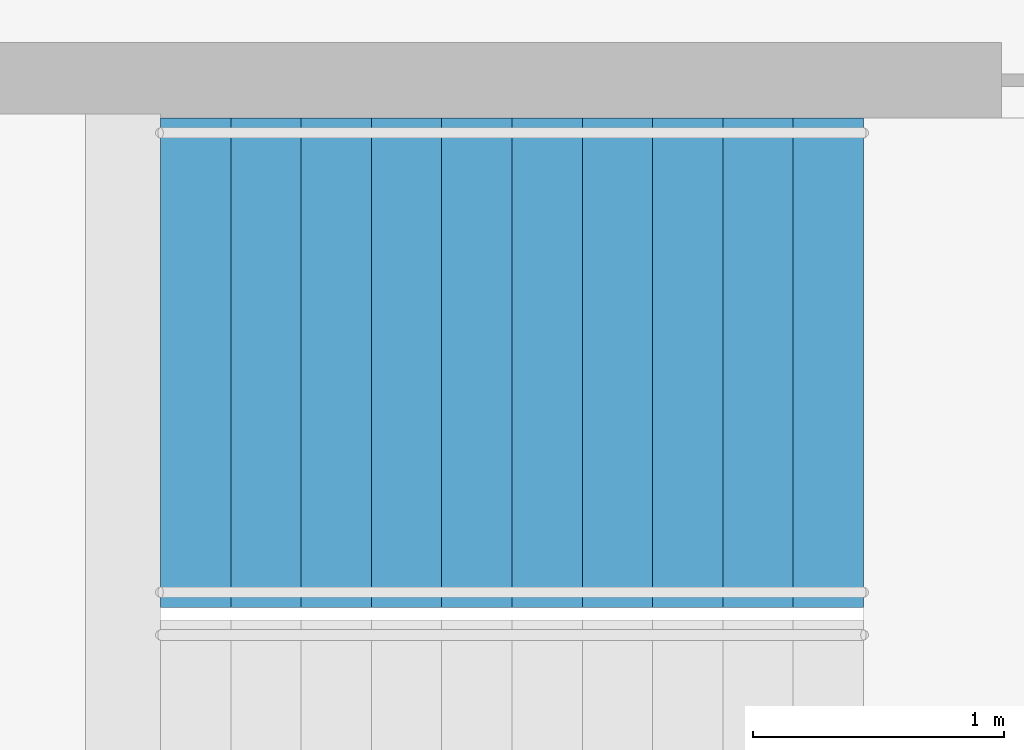
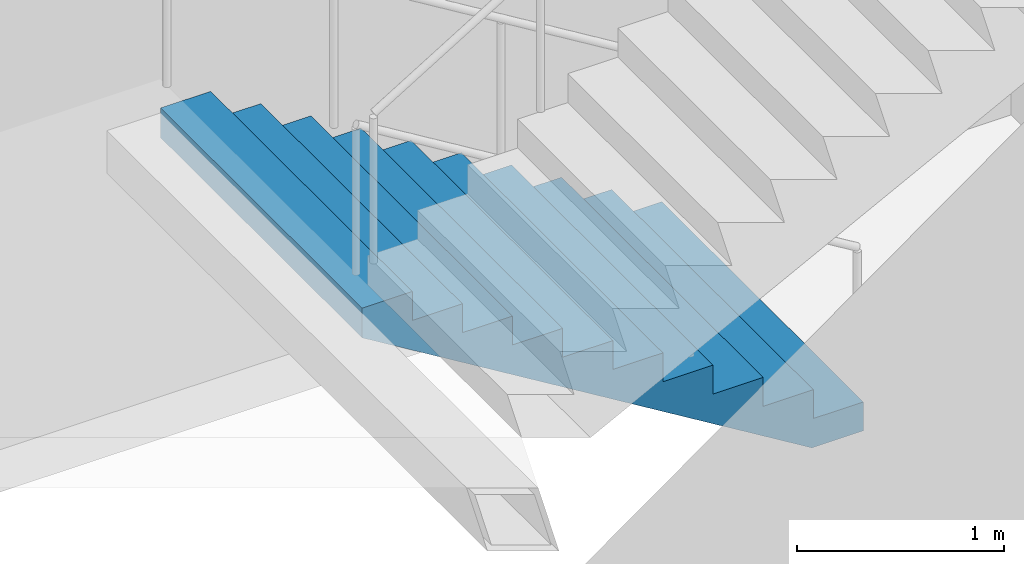
# One storey, part 23 of 24: 1 stair flight, 1 element without a shape of its own.
"""IFC4 building model written with IfcOpenShell, lengths in metres."""

from ifc_helpers import new_model, si_unit, direction, frame, origin, place, context, subcontext, project, spatial, triangles, material, type_object, element, aggregate, save


model = new_model("IFC4")

# Units and contexts
model_context = context("Model", 3, precision=1e-05, world=origin(), true_north=direction((0.0, 1.0)))
body_context = subcontext(model_context, "Body", "Model", "MODEL_VIEW")
ifc_project = project(units=[si_unit("LENGTHUNIT", "METRE"), si_unit("AREAUNIT", "SQUARE_METRE"), si_unit("VOLUMEUNIT", "CUBIC_METRE"), si_unit("PLANEANGLEUNIT", "RADIAN"), si_unit("MASSUNIT", "GRAM", prefix="KILO")], contexts=[model_context])

# Site, building, storey
site_placement = place(None, origin())
site = spatial("IfcSite", under=ifc_project, at=site_placement, CompositionType="ELEMENT")
building_placement = place(site_placement, origin())
building = spatial("IfcBuilding", under=site, at=building_placement, Name="Orbita Commons", CompositionType="ELEMENT")
storey_placement = place(building_placement, frame((0.0, 0.0, 27.699951171875)))
storey = spatial("IfcBuildingStorey", under=building, at=storey_placement, Name="L06", CompositionType="ELEMENT", Elevation=27.699951171875)

# Stair, stair flight
ifc_material_1 = material(Name="Precast concrete C40/50", Category="concrete")
stair_type = type_object("IfcStairType", Name="Exit stair S2 2 flights 11 risers 170", PredefinedType="HALF_TURN_STAIR", material=ifc_material_1)
stair_placement = place(storey_placement, origin())
stair = element("IfcStair", 1, at=stair_placement, inside=storey, type_object=stair_type, Name="Exit stair S2 L06", PredefinedType="HALF_TURN_STAIR")
ifc_material_2 = material(Name="Precast concrete C40/50", Category="concrete")
stair_flight_type = type_object("IfcStairFlightType", Name="Stair flight 11 risers 170 x 280", PredefinedType="STRAIGHT", material=ifc_material_2)
stair_flight_placement = place(storey_placement, frame((63.550048828125, 29.27490234375, 0.0), z_axis=(0.0, 0.0, 1.0), x_axis=(-1.0, 0.0, 0.0)))
stair_flight = element("IfcStairFlight", 2, at=stair_flight_placement, type_object=stair_flight_type, Name="S2 flight 1", NumberOfRisers=11, NumberOfTreads=10, PredefinedType="STRAIGHT", RiserHeight=0.170454545, TreadLength=0.28, context=body_context, shape_type="Tessellation", body=[
    triangles([(0.0, 0.974976, 0.0), (0.0, 0.974976, 0.021307), (0.0, 0.81248, 0.021307), (0.0, 0.81248, 0.0), (0.0, 0.649984, 0.021307), (0.0, 0.649984, 0.0), (0.0, 0.487488, 0.021307), (0.0, 0.487488, 0.0), (0.0, 0.324992, 0.021307), (0.0, 0.324992, 0.0), (0.0, 0.162496, 0.021307), (0.0, 0.162496, 0.0), (0.0, 0.0, 0.021307), (0.0, 0.0, 0.0), (0.0, -0.162496, 0.021307), (0.0, -0.162496, 0.0), (0.0, -0.324992, 0.021307), (0.0, -0.324992, 0.0), (0.0, -0.487488, 0.021307), (0.0, -0.487488, 0.0), (0.0, -0.649984, 0.021307), (0.0, -0.649984, 0.0), (0.0, -0.81248, 0.021307), (0.0, -0.81248, 0.0), (0.0, -0.974976, 0.021307), (0.0, -0.974976, 0.0), (0.0, 0.974976, 0.042614), (0.0, 0.81248, 0.042614), (0.0, 0.649984, 0.042614), (0.0, 0.487488, 0.042614), (0.0, 0.324992, 0.042614), (0.0, 0.162496, 0.042614), (0.0, 0.0, 0.042614), (0.0, -0.162496, 0.042614), (0.0, -0.324992, 0.042614), (0.0, -0.487488, 0.042614), (0.0, -0.649984, 0.042614), (0.0, -0.81248, 0.042614), (0.0, -0.974976, 0.042614), (0.0, 0.974976, 0.06392), (0.0, 0.81248, 0.06392), (0.0, 0.649984, 0.06392), (0.0, 0.487488, 0.06392), (0.0, 0.324992, 0.06392), (0.0, 0.162496, 0.06392), (0.0, 0.0, 0.06392), (0.0, -0.162496, 0.06392), (0.0, -0.324992, 0.06392), (0.0, -0.487488, 0.06392), (0.0, -0.649984, 0.06392), (0.0, -0.81248, 0.06392), (0.0, -0.974976, 0.06392), (0.0, 0.974976, 0.085227), (0.0, 0.81248, 0.085227), (0.0, 0.649984, 0.085227), (0.0, 0.487488, 0.085227), (0.0, 0.324992, 0.085227), (0.0, 0.162496, 0.085227), (0.0, 0.0, 0.085227), (0.0, -0.162496, 0.085227), (0.0, -0.324992, 0.085227), (0.0, -0.487488, 0.085227), (0.0, -0.649984, 0.085227), (0.0, -0.81248, 0.085227), (0.0, -0.974976, 0.085227), (0.0, 0.974976, 0.106534), (0.0, 0.81248, 0.106534), (0.0, 0.649984, 0.106534), (0.0, 0.487488, 0.106534), (0.0, 0.324992, 0.106534), (0.0, 0.162496, 0.106534), (0.0, 0.0, 0.106534), (0.0, -0.162496, 0.106534), (0.0, -0.324992, 0.106534), (0.0, -0.487488, 0.106534), (0.0, -0.649984, 0.106534), (0.0, -0.81248, 0.106534), (0.0, -0.974976, 0.106534), (0.0, 0.974976, 0.127841), (0.0, 0.81248, 0.127841), (0.0, 0.649984, 0.127841), (0.0, 0.487488, 0.127841), (0.0, 0.324992, 0.127841), (0.0, 0.162496, 0.127841), (0.0, 0.0, 0.127841), (0.0, -0.162496, 0.127841), (0.0, -0.324992, 0.127841), (0.0, -0.487488, 0.127841), (0.0, -0.649984, 0.127841), (0.0, -0.81248, 0.127841), (0.0, -0.974976, 0.127841), (0.0, 0.974976, 0.149148), (0.0, 0.81248, 0.149148), (0.0, 0.649984, 0.149148), (0.0, 0.487488, 0.149148), (0.0, 0.324992, 0.149148), (0.0, 0.162496, 0.149148), (0.0, 0.0, 0.149148), (0.0, -0.162496, 0.149148), (0.0, -0.324992, 0.149148), (0.0, -0.487488, 0.149148), (0.0, -0.649984, 0.149148), (0.0, -0.81248, 0.149148), (0.0, -0.974976, 0.149148), (0.0, 0.974976, 0.170455), (0.0, 0.81248, 0.170455), (0.0, 0.649984, 0.170455), (0.0, 0.487488, 0.170455), (0.0, 0.324992, 0.170455), (0.0, 0.162496, 0.170455), (0.0, 0.0, 0.170455), (0.0, -0.162496, 0.170455), (0.0, -0.324992, 0.170455), (0.0, -0.487488, 0.170455), (0.0, -0.649984, 0.170455), (0.0, -0.81248, 0.170455), (0.0, -0.974976, 0.170455), (0.28, 0.974976, 0.170455), (0.28, 0.81248, 0.170455), (0.28, 0.649984, 0.170455), (0.28, 0.487488, 0.170455), (0.28, 0.324992, 0.170455), (0.28, 0.162496, 0.170455), (0.28, 0.0, 0.170455), (0.28, -0.162496, 0.170455), (0.28, -0.324992, 0.170455), (0.28, -0.487488, 0.170455), (0.28, -0.649984, 0.170455), (0.28, -0.81248, 0.170455), (0.28, -0.974976, 0.170455), (0.28, 0.974976, 0.340909), (0.28, 0.81248, 0.340909), (0.28, 0.649984, 0.340909), (0.28, 0.487488, 0.340909), (0.28, 0.324992, 0.340909), (0.28, 0.162496, 0.340909), (0.28, 0.0, 0.340909), (0.28, -0.162496, 0.340909), (0.28, -0.324992, 0.340909), (0.28, -0.487488, 0.340909), (0.28, -0.649984, 0.340909), (0.28, -0.81248, 0.340909), (0.28, -0.974976, 0.340909), (0.56, 0.974976, 0.340909), (0.56, 0.81248, 0.340909), (0.56, 0.649984, 0.340909), (0.56, 0.487488, 0.340909), (0.56, 0.324992, 0.340909), (0.56, 0.162496, 0.340909), (0.56, 0.0, 0.340909), (0.56, -0.162496, 0.340909), (0.56, -0.324992, 0.340909), (0.56, -0.487488, 0.340909), (0.56, -0.649984, 0.340909), (0.56, -0.81248, 0.340909), (0.56, -0.974976, 0.340909), (0.56, 0.974976, 0.511364), (0.56, 0.81248, 0.511364), (0.56, 0.649984, 0.511364), (0.56, 0.487488, 0.511364), (0.56, 0.324992, 0.511364), (0.56, 0.162496, 0.511364), (0.56, 0.0, 0.511364), (0.56, -0.162496, 0.511364), (0.56, -0.324992, 0.511364), (0.56, -0.487488, 0.511364), (0.56, -0.649984, 0.511364), (0.56, -0.81248, 0.511364), (0.56, -0.974976, 0.511364), (0.84, 0.974976, 0.511364), (0.84, 0.81248, 0.511364), (0.84, 0.649984, 0.511364), (0.84, 0.487488, 0.511364), (0.84, 0.324992, 0.511364), (0.84, 0.162496, 0.511364), (0.84, 0.0, 0.511364), (0.84, -0.162496, 0.511364), (0.84, -0.324992, 0.511364), (0.84, -0.487488, 0.511364), (0.84, -0.649984, 0.511364), (0.84, -0.81248, 0.511364), (0.84, -0.974976, 0.511364), (0.84, 0.974976, 0.681818), (0.84, 0.81248, 0.681818), (0.84, 0.649984, 0.681818), (0.84, 0.487488, 0.681818), (0.84, 0.324992, 0.681818), (0.84, 0.162496, 0.681818), (0.84, 0.0, 0.681818), (0.84, -0.162496, 0.681818), (0.84, -0.324992, 0.681818), (0.84, -0.487488, 0.681818), (0.84, -0.649984, 0.681818), (0.84, -0.81248, 0.681818), (0.84, -0.974976, 0.681818), (1.12, 0.974976, 0.681818), (1.12, 0.81248, 0.681818), (1.12, 0.649984, 0.681818), (1.12, 0.487488, 0.681818), (1.12, 0.324992, 0.681818), (1.12, 0.162496, 0.681818), (1.12, 0.0, 0.681818), (1.12, -0.162496, 0.681818), (1.12, -0.324992, 0.681818), (1.12, -0.487488, 0.681818), (1.12, -0.649984, 0.681818), (1.12, -0.81248, 0.681818), (1.12, -0.974976, 0.681818), (1.12, 0.974976, 0.852273), (1.12, 0.81248, 0.852273), (1.12, 0.649984, 0.852273), (1.12, 0.487488, 0.852273), (1.12, 0.324992, 0.852273), (1.12, 0.162496, 0.852273), (1.12, 0.0, 0.852273), (1.12, -0.162496, 0.852273), (1.12, -0.324992, 0.852273), (1.12, -0.487488, 0.852273), (1.12, -0.649984, 0.852273), (1.12, -0.81248, 0.852273), (1.12, -0.974976, 0.852273), (1.4, 0.974976, 0.852273), (1.4, 0.81248, 0.852273), (1.4, 0.649984, 0.852273), (1.4, 0.487488, 0.852273), (1.4, 0.324992, 0.852273), (1.4, 0.162496, 0.852273), (1.4, 0.0, 0.852273), (1.4, -0.162496, 0.852273), (1.4, -0.324992, 0.852273), (1.4, -0.487488, 0.852273), (1.4, -0.649984, 0.852273), (1.4, -0.81248, 0.852273), (1.4, -0.974976, 0.852273), (1.4, 0.974976, 1.022727), (1.4, 0.81248, 1.022727), (1.4, 0.649984, 1.022727), (1.4, 0.487488, 1.022727), (1.4, 0.324992, 1.022727), (1.4, 0.162496, 1.022727), (1.4, 0.0, 1.022727), (1.4, -0.162496, 1.022727), (1.4, -0.324992, 1.022727), (1.4, -0.487488, 1.022727), (1.4, -0.649984, 1.022727), (1.4, -0.81248, 1.022727), (1.4, -0.974976, 1.022727), (1.68, 0.974976, 1.022727), (1.68, 0.81248, 1.022727), (1.68, 0.649984, 1.022727), (1.68, 0.487488, 1.022727), (1.68, 0.324992, 1.022727), (1.68, 0.162496, 1.022727), (1.68, 0.0, 1.022727), (1.68, -0.162496, 1.022727), (1.68, -0.324992, 1.022727), (1.68, -0.487488, 1.022727), (1.68, -0.649984, 1.022727), (1.68, -0.81248, 1.022727), (1.68, -0.974976, 1.022727), (1.68, 0.974976, 1.193182), (1.68, 0.81248, 1.193182), (1.68, 0.649984, 1.193182), (1.68, 0.487488, 1.193182), (1.68, 0.324992, 1.193182), (1.68, 0.162496, 1.193182), (1.68, 0.0, 1.193182), (1.68, -0.162496, 1.193182), (1.68, -0.324992, 1.193182), (1.68, -0.487488, 1.193182), (1.68, -0.649984, 1.193182), (1.68, -0.81248, 1.193182), (1.68, -0.974976, 1.193182), (1.96, 0.974976, 1.193182), (1.96, 0.81248, 1.193182), (1.96, 0.649984, 1.193182), (1.96, 0.487488, 1.193182), (1.96, 0.324992, 1.193182), (1.96, 0.162496, 1.193182), (1.96, 0.0, 1.193182), (1.96, -0.162496, 1.193182), (1.96, -0.324992, 1.193182), (1.96, -0.487488, 1.193182), (1.96, -0.649984, 1.193182), (1.96, -0.81248, 1.193182), (1.96, -0.974976, 1.193182), (1.96, 0.974976, 1.363636), (1.96, 0.81248, 1.363636), (1.96, 0.649984, 1.363636), (1.96, 0.487488, 1.363636), (1.96, 0.324992, 1.363636), (1.96, 0.162496, 1.363636), (1.96, 0.0, 1.363636), (1.96, -0.162496, 1.363636), (1.96, -0.324992, 1.363636), (1.96, -0.487488, 1.363636), (1.96, -0.649984, 1.363636), (1.96, -0.81248, 1.363636), (1.96, -0.974976, 1.363636), (2.24, 0.974976, 1.363636), (2.24, 0.81248, 1.363636), (2.24, 0.649984, 1.363636), (2.24, 0.487488, 1.363636), (2.24, 0.324992, 1.363636), (2.24, 0.162496, 1.363636), (2.24, 0.0, 1.363636), (2.24, -0.162496, 1.363636), (2.24, -0.324992, 1.363636), (2.24, -0.487488, 1.363636), (2.24, -0.649984, 1.363636), (2.24, -0.81248, 1.363636), (2.24, -0.974976, 1.363636), (2.24, 0.974976, 1.534091), (2.24, 0.81248, 1.534091), (2.24, 0.649984, 1.534091), (2.24, 0.487488, 1.534091), (2.24, 0.324992, 1.534091), (2.24, 0.162496, 1.534091), (2.24, 0.0, 1.534091), (2.24, -0.162496, 1.534091), (2.24, -0.324992, 1.534091), (2.24, -0.487488, 1.534091), (2.24, -0.649984, 1.534091), (2.24, -0.81248, 1.534091), (2.24, -0.974976, 1.534091), (2.52, 0.974976, 1.534091), (2.52, 0.81248, 1.534091), (2.52, 0.649984, 1.534091), (2.52, 0.487488, 1.534091), (2.52, 0.324992, 1.534091), (2.52, 0.162496, 1.534091), (2.52, 0.0, 1.534091), (2.52, -0.162496, 1.534091), (2.52, -0.324992, 1.534091), (2.52, -0.487488, 1.534091), (2.52, -0.649984, 1.534091), (2.52, -0.81248, 1.534091), (2.52, -0.974976, 1.534091), (2.52, 0.974976, 1.704545), (2.52, 0.81248, 1.704545), (2.52, 0.649984, 1.704545), (2.52, 0.487488, 1.704545), (2.52, 0.324992, 1.704545), (2.52, 0.162496, 1.704545), (2.52, 0.0, 1.704545), (2.52, -0.162496, 1.704545), (2.52, -0.324992, 1.704545), (2.52, -0.487488, 1.704545), (2.52, -0.649984, 1.704545), (2.52, -0.81248, 1.704545), (2.52, -0.974976, 1.704545), (2.8, 0.974976, 1.704545), (2.8, 0.81248, 1.704545), (2.8, 0.649984, 1.704545), (2.8, 0.487488, 1.704545), (2.8, 0.324992, 1.704545), (2.8, 0.162496, 1.704545), (2.8, 0.0, 1.704545), (2.8, -0.162496, 1.704545), (2.8, -0.324992, 1.704545), (2.8, -0.487488, 1.704545), (2.8, -0.649984, 1.704545), (2.8, -0.81248, 1.704545), (2.8, -0.974976, 1.704545), (2.8, 0.974976, 1.682609), (2.8, 0.81248, 1.682609), (2.8, 0.649984, 1.682609), (2.8, 0.487488, 1.682609), (2.8, 0.324992, 1.682609), (2.8, 0.162496, 1.682609), (2.8, 0.0, 1.682609), (2.8, -0.162496, 1.682609), (2.8, -0.324992, 1.682609), (2.8, -0.487488, 1.682609), (2.8, -0.649984, 1.682609), (2.8, -0.81248, 1.682609), (2.8, -0.974976, 1.682609), (2.8, 0.974976, 1.660672), (2.8, 0.81248, 1.660672), (2.8, 0.649984, 1.660672), (2.8, 0.487488, 1.660672), (2.8, 0.324992, 1.660672), (2.8, 0.162496, 1.660672), (2.8, 0.0, 1.660672), (2.8, -0.162496, 1.660672), (2.8, -0.324992, 1.660672), (2.8, -0.487488, 1.660672), (2.8, -0.649984, 1.660672), (2.8, -0.81248, 1.660672), (2.8, -0.974976, 1.660672), (2.8, 0.974976, 1.638735), (2.8, 0.81248, 1.638735), (2.8, 0.649984, 1.638735), (2.8, 0.487488, 1.638735), (2.8, 0.324992, 1.638735), (2.8, 0.162496, 1.638735), (2.8, 0.0, 1.638735), (2.8, -0.162496, 1.638735), (2.8, -0.324992, 1.638735), (2.8, -0.487488, 1.638735), (2.8, -0.649984, 1.638735), (2.8, -0.81248, 1.638735), (2.8, -0.974976, 1.638735), (2.8, 0.974976, 1.616798), (2.8, 0.81248, 1.616798), (2.8, 0.649984, 1.616798), (2.8, 0.487488, 1.616798), (2.8, 0.324992, 1.616798), (2.8, 0.162496, 1.616798), (2.8, 0.0, 1.616798), (2.8, -0.162496, 1.616798), (2.8, -0.324992, 1.616798), (2.8, -0.487488, 1.616798), (2.8, -0.649984, 1.616798), (2.8, -0.81248, 1.616798), (2.8, -0.974976, 1.616798), (2.8, 0.974976, 1.594861), (2.8, 0.81248, 1.594861), (2.8, 0.649984, 1.594861), (2.8, 0.487488, 1.594861), (2.8, 0.324992, 1.594861), (2.8, 0.162496, 1.594861), (2.8, 0.0, 1.594861), (2.8, -0.162496, 1.594861), (2.8, -0.324992, 1.594861), (2.8, -0.487488, 1.594861), (2.8, -0.649984, 1.594861), (2.8, -0.81248, 1.594861), (2.8, -0.974976, 1.594861), (2.8, 0.974976, 1.572925), (2.8, 0.81248, 1.572925), (2.8, 0.649984, 1.572925), (2.8, 0.487488, 1.572925), (2.8, 0.324992, 1.572925), (2.8, 0.162496, 1.572925), (2.8, 0.0, 1.572925), (2.8, -0.162496, 1.572925), (2.8, -0.324992, 1.572925), (2.8, -0.487488, 1.572925), (2.8, -0.649984, 1.572925), (2.8, -0.81248, 1.572925), (2.8, -0.974976, 1.572925), (2.8, 0.974976, 1.550988), (2.8, 0.81248, 1.550988), (2.8, 0.649984, 1.550988), (2.8, 0.487488, 1.550988), (2.8, 0.324992, 1.550988), (2.8, 0.162496, 1.550988), (2.8, 0.0, 1.550988), (2.8, -0.162496, 1.550988), (2.8, -0.324992, 1.550988), (2.8, -0.487488, 1.550988), (2.8, -0.649984, 1.550988), (2.8, -0.81248, 1.550988), (2.8, -0.974976, 1.550988), (2.8, 0.974976, 1.529051), (2.8, 0.81248, 1.529051), (2.8, 0.649984, 1.529051), (2.8, 0.487488, 1.529051), (2.8, 0.324992, 1.529051), (2.8, 0.162496, 1.529051), (2.8, 0.0, 1.529051), (2.8, -0.162496, 1.529051), (2.8, -0.324992, 1.529051), (2.8, -0.487488, 1.529051), (2.8, -0.649984, 1.529051), (2.8, -0.81248, 1.529051), (2.8, -0.974976, 1.529051), (0.288279, 0.974976, 0.0), (0.288279, 0.81248, 0.0), (0.288279, 0.649984, 0.0), (0.288279, 0.487488, 0.0), (0.288279, 0.324992, 0.0), (0.288279, 0.162496, 0.0), (0.288279, 0.0, 0.0), (0.288279, -0.162496, 0.0), (0.288279, -0.324992, 0.0), (0.288279, -0.487488, 0.0), (0.288279, -0.649984, 0.0), (0.288279, -0.81248, 0.0), (0.288279, -0.974976, 0.0)], [[3, 2, 1], [4, 3, 1], [5, 3, 4], [6, 5, 4], [7, 5, 6], [8, 7, 6], [9, 7, 8], [10, 9, 8], [11, 9, 10], [12, 11, 10], [13, 11, 12], [14, 13, 12], [15, 13, 14], [16, 15, 14], [17, 15, 16], [18, 17, 16], [19, 17, 18], [20, 19, 18], [21, 19, 20], [22, 21, 20], [23, 21, 22], [24, 23, 22], [25, 23, 24], [26, 25, 24], [28, 27, 2], [3, 28, 2], [29, 28, 3], [5, 29, 3], [30, 29, 5], [7, 30, 5], [31, 30, 7], [9, 31, 7], [32, 31, 9], [11, 32, 9], [33, 32, 11], [13, 33, 11], [34, 33, 13], [15, 34, 13], [35, 34, 15], [17, 35, 15], [36, 35, 17], [19, 36, 17], [37, 36, 19], [21, 37, 19], [38, 37, 21], [23, 38, 21], [39, 38, 23], [25, 39, 23], [41, 40, 27], [28, 41, 27], [42, 41, 28], [29, 42, 28], [43, 42, 29], [30, 43, 29], [44, 43, 30], [31, 44, 30], [45, 44, 31], [32, 45, 31], [46, 45, 32], [33, 46, 32], [47, 46, 33], [34, 47, 33], [48, 47, 34], [35, 48, 34], [49, 48, 35], [36, 49, 35], [50, 49, 36], [37, 50, 36], [51, 50, 37], [38, 51, 37], [52, 51, 38], [39, 52, 38], [54, 53, 40], [41, 54, 40], [55, 54, 41], [42, 55, 41], [56, 55, 42], [43, 56, 42], [57, 56, 43], [44, 57, 43], [58, 57, 44], [45, 58, 44], [59, 58, 45], [46, 59, 45], [60, 59, 46], [47, 60, 46], [61, 60, 47], [48, 61, 47], [62, 61, 48], [49, 62, 48], [63, 62, 49], [50, 63, 49], [64, 63, 50], [51, 64, 50], [65, 64, 51], [52, 65, 51], [67, 66, 53], [54, 67, 53], [68, 67, 54], [55, 68, 54], [69, 68, 55], [56, 69, 55], [70, 69, 56], [57, 70, 56], [71, 70, 57], [58, 71, 57], [72, 71, 58], [59, 72, 58], [73, 72, 59], [60, 73, 59], [74, 73, 60], [61, 74, 60], [75, 74, 61], [62, 75, 61], [76, 75, 62], [63, 76, 62], [77, 76, 63], [64, 77, 63], [78, 77, 64], [65, 78, 64], [80, 79, 66], [67, 80, 66], [81, 80, 67], [68, 81, 67], [82, 81, 68], [69, 82, 68], [83, 82, 69], [70, 83, 69], [84, 83, 70], [71, 84, 70], [85, 84, 71], [72, 85, 71], [86, 85, 72], [73, 86, 72], [87, 86, 73], [74, 87, 73], [88, 87, 74], [75, 88, 74], [89, 88, 75], [76, 89, 75], [90, 89, 76], [77, 90, 76], [91, 90, 77], [78, 91, 77], [93, 92, 79], [80, 93, 79], [94, 93, 80], [81, 94, 80], [95, 94, 81], [82, 95, 81], [96, 95, 82], [83, 96, 82], [97, 96, 83], [84, 97, 83], [98, 97, 84], [85, 98, 84], [99, 98, 85], [86, 99, 85], [100, 99, 86], [87, 100, 86], [101, 100, 87], [88, 101, 87], [102, 101, 88], [89, 102, 88], [103, 102, 89], [90, 103, 89], [104, 103, 90], [91, 104, 90], [106, 105, 92], [93, 106, 92], [107, 106, 93], [94, 107, 93], [108, 107, 94], [95, 108, 94], [109, 108, 95], [96, 109, 95], [110, 109, 96], [97, 110, 96], [111, 110, 97], [98, 111, 97], [112, 111, 98], [99, 112, 98], [113, 112, 99], [100, 113, 99], [114, 113, 100], [101, 114, 100], [115, 114, 101], [102, 115, 101], [116, 115, 102], [103, 116, 102], [117, 116, 103], [104, 117, 103], [119, 118, 105], [106, 119, 105], [120, 119, 106], [107, 120, 106], [121, 120, 107], [108, 121, 107], [122, 121, 108], [109, 122, 108], [123, 122, 109], [110, 123, 109], [124, 123, 110], [111, 124, 110], [125, 124, 111], [112, 125, 111], [126, 125, 112], [113, 126, 112], [127, 126, 113], [114, 127, 113], [128, 127, 114], [115, 128, 114], [129, 128, 115], [116, 129, 115], [130, 129, 116], [117, 130, 116], [132, 131, 118], [119, 132, 118], [133, 132, 119], [120, 133, 119], [134, 133, 120], [121, 134, 120], [135, 134, 121], [122, 135, 121], [136, 135, 122], [123, 136, 122], [137, 136, 123], [124, 137, 123], [138, 137, 124], [125, 138, 124], [139, 138, 125], [126, 139, 125], [140, 139, 126], [127, 140, 126], [141, 140, 127], [128, 141, 127], [142, 141, 128], [129, 142, 128], [143, 142, 129], [130, 143, 129], [145, 144, 131], [132, 145, 131], [146, 145, 132], [133, 146, 132], [147, 146, 133], [134, 147, 133], [148, 147, 134], [135, 148, 134], [149, 148, 135], [136, 149, 135], [150, 149, 136], [137, 150, 136], [151, 150, 137], [138, 151, 137], [152, 151, 138], [139, 152, 138], [153, 152, 139], [140, 153, 139], [154, 153, 140], [141, 154, 140], [155, 154, 141], [142, 155, 141], [156, 155, 142], [143, 156, 142], [158, 157, 144], [145, 158, 144], [159, 158, 145], [146, 159, 145], [160, 159, 146], [147, 160, 146], [161, 160, 147], [148, 161, 147], [162, 161, 148], [149, 162, 148], [163, 162, 149], [150, 163, 149], [164, 163, 150], [151, 164, 150], [165, 164, 151], [152, 165, 151], [166, 165, 152], [153, 166, 152], [167, 166, 153], [154, 167, 153], [168, 167, 154], [155, 168, 154], [169, 168, 155], [156, 169, 155], [171, 170, 157], [158, 171, 157], [172, 171, 158], [159, 172, 158], [173, 172, 159], [160, 173, 159], [174, 173, 160], [161, 174, 160], [175, 174, 161], [162, 175, 161], [176, 175, 162], [163, 176, 162], [177, 176, 163], [164, 177, 163], [178, 177, 164], [165, 178, 164], [179, 178, 165], [166, 179, 165], [180, 179, 166], [167, 180, 166], [181, 180, 167], [168, 181, 167], [182, 181, 168], [169, 182, 168], [184, 183, 170], [171, 184, 170], [185, 184, 171], [172, 185, 171], [186, 185, 172], [173, 186, 172], [187, 186, 173], [174, 187, 173], [188, 187, 174], [175, 188, 174], [189, 188, 175], [176, 189, 175], [190, 189, 176], [177, 190, 176], [191, 190, 177], [178, 191, 177], [192, 191, 178], [179, 192, 178], [193, 192, 179], [180, 193, 179], [194, 193, 180], [181, 194, 180], [195, 194, 181], [182, 195, 181], [197, 196, 183], [184, 197, 183], [198, 197, 184], [185, 198, 184], [199, 198, 185], [186, 199, 185], [200, 199, 186], [187, 200, 186], [201, 200, 187], [188, 201, 187], [202, 201, 188], [189, 202, 188], [203, 202, 189], [190, 203, 189], [204, 203, 190], [191, 204, 190], [205, 204, 191], [192, 205, 191], [206, 205, 192], [193, 206, 192], [207, 206, 193], [194, 207, 193], [208, 207, 194], [195, 208, 194], [210, 209, 196], [197, 210, 196], [211, 210, 197], [198, 211, 197], [212, 211, 198], [199, 212, 198], [213, 212, 199], [200, 213, 199], [214, 213, 200], [201, 214, 200], [215, 214, 201], [202, 215, 201], [216, 215, 202], [203, 216, 202], [217, 216, 203], [204, 217, 203], [218, 217, 204], [205, 218, 204], [219, 218, 205], [206, 219, 205], [220, 219, 206], [207, 220, 206], [221, 220, 207], [208, 221, 207], [223, 222, 209], [210, 223, 209], [224, 223, 210], [211, 224, 210], [225, 224, 211], [212, 225, 211], [226, 225, 212], [213, 226, 212], [227, 226, 213], [214, 227, 213], [228, 227, 214], [215, 228, 214], [229, 228, 215], [216, 229, 215], [230, 229, 216], [217, 230, 216], [231, 230, 217], [218, 231, 217], [232, 231, 218], [219, 232, 218], [233, 232, 219], [220, 233, 219], [234, 233, 220], [221, 234, 220], [236, 235, 222], [223, 236, 222], [237, 236, 223], [224, 237, 223], [238, 237, 224], [225, 238, 224], [239, 238, 225], [226, 239, 225], [240, 239, 226], [227, 240, 226], [241, 240, 227], [228, 241, 227], [242, 241, 228], [229, 242, 228], [243, 242, 229], [230, 243, 229], [244, 243, 230], [231, 244, 230], [245, 244, 231], [232, 245, 231], [246, 245, 232], [233, 246, 232], [247, 246, 233], [234, 247, 233], [249, 248, 235], [236, 249, 235], [250, 249, 236], [237, 250, 236], [251, 250, 237], [238, 251, 237], [252, 251, 238], [239, 252, 238], [253, 252, 239], [240, 253, 239], [254, 253, 240], [241, 254, 240], [255, 254, 241], [242, 255, 241], [256, 255, 242], [243, 256, 242], [257, 256, 243], [244, 257, 243], [258, 257, 244], [245, 258, 244], [259, 258, 245], [246, 259, 245], [260, 259, 246], [247, 260, 246], [262, 261, 248], [249, 262, 248], [263, 262, 249], [250, 263, 249], [264, 263, 250], [251, 264, 250], [265, 264, 251], [252, 265, 251], [266, 265, 252], [253, 266, 252], [267, 266, 253], [254, 267, 253], [268, 267, 254], [255, 268, 254], [269, 268, 255], [256, 269, 255], [270, 269, 256], [257, 270, 256], [271, 270, 257], [258, 271, 257], [272, 271, 258], [259, 272, 258], [273, 272, 259], [260, 273, 259], [275, 274, 261], [262, 275, 261], [276, 275, 262], [263, 276, 262], [277, 276, 263], [264, 277, 263], [278, 277, 264], [265, 278, 264], [279, 278, 265], [266, 279, 265], [280, 279, 266], [267, 280, 266], [281, 280, 267], [268, 281, 267], [282, 281, 268], [269, 282, 268], [283, 282, 269], [270, 283, 269], [284, 283, 270], [271, 284, 270], [285, 284, 271], [272, 285, 271], [286, 285, 272], [273, 286, 272], [288, 287, 274], [275, 288, 274], [289, 288, 275], [276, 289, 275], [290, 289, 276], [277, 290, 276], [291, 290, 277], [278, 291, 277], [292, 291, 278], [279, 292, 278], [293, 292, 279], [280, 293, 279], [294, 293, 280], [281, 294, 280], [295, 294, 281], [282, 295, 281], [296, 295, 282], [283, 296, 282], [297, 296, 283], [284, 297, 283], [298, 297, 284], [285, 298, 284], [299, 298, 285], [286, 299, 285], [301, 300, 287], [288, 301, 287], [302, 301, 288], [289, 302, 288], [303, 302, 289], [290, 303, 289], [304, 303, 290], [291, 304, 290], [305, 304, 291], [292, 305, 291], [306, 305, 292], [293, 306, 292], [307, 306, 293], [294, 307, 293], [308, 307, 294], [295, 308, 294], [309, 308, 295], [296, 309, 295], [310, 309, 296], [297, 310, 296], [311, 310, 297], [298, 311, 297], [312, 311, 298], [299, 312, 298], [314, 313, 300], [301, 314, 300], [315, 314, 301], [302, 315, 301], [316, 315, 302], [303, 316, 302], [317, 316, 303], [304, 317, 303], [318, 317, 304], [305, 318, 304], [319, 318, 305], [306, 319, 305], [320, 319, 306], [307, 320, 306], [321, 320, 307], [308, 321, 307], [322, 321, 308], [309, 322, 308], [323, 322, 309], [310, 323, 309], [324, 323, 310], [311, 324, 310], [325, 324, 311], [312, 325, 311], [327, 326, 313], [314, 327, 313], [328, 327, 314], [315, 328, 314], [329, 328, 315], [316, 329, 315], [330, 329, 316], [317, 330, 316], [331, 330, 317], [318, 331, 317], [332, 331, 318], [319, 332, 318], [333, 332, 319], [320, 333, 319], [334, 333, 320], [321, 334, 320], [335, 334, 321], [322, 335, 321], [336, 335, 322], [323, 336, 322], [337, 336, 323], [324, 337, 323], [338, 337, 324], [325, 338, 324], [340, 339, 326], [327, 340, 326], [341, 340, 327], [328, 341, 327], [342, 341, 328], [329, 342, 328], [343, 342, 329], [330, 343, 329], [344, 343, 330], [331, 344, 330], [345, 344, 331], [332, 345, 331], [346, 345, 332], [333, 346, 332], [347, 346, 333], [334, 347, 333], [348, 347, 334], [335, 348, 334], [349, 348, 335], [336, 349, 335], [350, 349, 336], [337, 350, 336], [351, 350, 337], [338, 351, 337], [353, 352, 339], [340, 353, 339], [354, 353, 340], [341, 354, 340], [355, 354, 341], [342, 355, 341], [356, 355, 342], [343, 356, 342], [357, 356, 343], [344, 357, 343], [358, 357, 344], [345, 358, 344], [359, 358, 345], [346, 359, 345], [360, 359, 346], [347, 360, 346], [361, 360, 347], [348, 361, 347], [362, 361, 348], [349, 362, 348], [363, 362, 349], [350, 363, 349], [364, 363, 350], [351, 364, 350], [366, 365, 352], [353, 366, 352], [367, 366, 353], [354, 367, 353], [368, 367, 354], [355, 368, 354], [369, 368, 355], [356, 369, 355], [370, 369, 356], [357, 370, 356], [371, 370, 357], [358, 371, 357], [372, 371, 358], [359, 372, 358], [373, 372, 359], [360, 373, 359], [374, 373, 360], [361, 374, 360], [375, 374, 361], [362, 375, 361], [376, 375, 362], [363, 376, 362], [377, 376, 363], [364, 377, 363], [379, 378, 365], [366, 379, 365], [380, 379, 366], [367, 380, 366], [381, 380, 367], [368, 381, 367], [382, 381, 368], [369, 382, 368], [383, 382, 369], [370, 383, 369], [384, 383, 370], [371, 384, 370], [385, 384, 371], [372, 385, 371], [386, 385, 372], [373, 386, 372], [387, 386, 373], [374, 387, 373], [388, 387, 374], [375, 388, 374], [389, 388, 375], [376, 389, 375], [390, 389, 376], [377, 390, 376], [392, 391, 378], [379, 392, 378], [393, 392, 379], [380, 393, 379], [394, 393, 380], [381, 394, 380], [395, 394, 381], [382, 395, 381], [396, 395, 382], [383, 396, 382], [397, 396, 383], [384, 397, 383], [398, 397, 384], [385, 398, 384], [399, 398, 385], [386, 399, 385], [400, 399, 386], [387, 400, 386], [401, 400, 387], [388, 401, 387], [402, 401, 388], [389, 402, 388], [403, 402, 389], [390, 403, 389], [405, 404, 391], [392, 405, 391], [406, 405, 392], [393, 406, 392], [407, 406, 393], [394, 407, 393], [408, 407, 394], [395, 408, 394], [409, 408, 395], [396, 409, 395], [410, 409, 396], [397, 410, 396], [411, 410, 397], [398, 411, 397], [412, 411, 398], [399, 412, 398], [413, 412, 399], [400, 413, 399], [414, 413, 400], [401, 414, 400], [415, 414, 401], [402, 415, 401], [416, 415, 402], [403, 416, 402], [418, 417, 404], [405, 418, 404], [419, 418, 405], [406, 419, 405], [420, 419, 406], [407, 420, 406], [421, 420, 407], [408, 421, 407], [422, 421, 408], [409, 422, 408], [423, 422, 409], [410, 423, 409], [424, 423, 410], [411, 424, 410], [425, 424, 411], [412, 425, 411], [426, 425, 412], [413, 426, 412], [427, 426, 413], [414, 427, 413], [428, 427, 414], [415, 428, 414], [429, 428, 415], [416, 429, 415], [431, 430, 417], [418, 431, 417], [432, 431, 418], [419, 432, 418], [433, 432, 419], [420, 433, 419], [434, 433, 420], [421, 434, 420], [435, 434, 421], [422, 435, 421], [436, 435, 422], [423, 436, 422], [437, 436, 423], [424, 437, 423], [438, 437, 424], [425, 438, 424], [439, 438, 425], [426, 439, 425], [440, 439, 426], [427, 440, 426], [441, 440, 427], [428, 441, 427], [442, 441, 428], [429, 442, 428], [444, 443, 430], [431, 444, 430], [445, 444, 431], [432, 445, 431], [446, 445, 432], [433, 446, 432], [447, 446, 433], [434, 447, 433], [448, 447, 434], [435, 448, 434], [449, 448, 435], [436, 449, 435], [450, 449, 436], [437, 450, 436], [451, 450, 437], [438, 451, 437], [452, 451, 438], [439, 452, 438], [453, 452, 439], [440, 453, 439], [454, 453, 440], [441, 454, 440], [455, 454, 441], [442, 455, 441], [457, 456, 443], [444, 457, 443], [458, 457, 444], [445, 458, 444], [459, 458, 445], [446, 459, 445], [460, 459, 446], [447, 460, 446], [461, 460, 447], [448, 461, 447], [462, 461, 448], [449, 462, 448], [463, 462, 449], [450, 463, 449], [464, 463, 450], [451, 464, 450], [465, 464, 451], [452, 465, 451], [466, 465, 452], [453, 466, 452], [467, 466, 453], [454, 467, 453], [468, 467, 454], [455, 468, 454], [470, 469, 456], [457, 470, 456], [471, 470, 457], [458, 471, 457], [472, 471, 458], [459, 472, 458], [473, 472, 459], [460, 473, 459], [474, 473, 460], [461, 474, 460], [475, 474, 461], [462, 475, 461], [476, 475, 462], [463, 476, 462], [477, 476, 463], [464, 477, 463], [478, 477, 464], [465, 478, 464], [479, 478, 465], [466, 479, 465], [480, 479, 466], [467, 480, 466], [481, 480, 467], [468, 481, 467], [4, 1, 469], [470, 4, 469], [6, 4, 470], [471, 6, 470], [8, 6, 471], [472, 8, 471], [10, 8, 472], [473, 10, 472], [12, 10, 473], [474, 12, 473], [14, 12, 474], [475, 14, 474], [16, 14, 475], [476, 16, 475], [18, 16, 476], [477, 18, 476], [20, 18, 477], [478, 20, 477], [22, 20, 478], [479, 22, 478], [24, 22, 479], [480, 24, 479], [26, 24, 480], [481, 26, 480], [456, 469, 1], [26, 481, 468], [443, 456, 1], [26, 468, 455], [430, 443, 1], [26, 455, 442], [417, 430, 1], [26, 442, 429], [404, 417, 1], [26, 429, 416], [391, 404, 1], [26, 416, 403], [378, 391, 1], [26, 403, 390], [365, 378, 1], [26, 390, 377], [339, 352, 365], [377, 364, 351], [326, 339, 365], [377, 351, 338], [300, 313, 326], [338, 325, 312], [300, 326, 365], [377, 338, 312], [274, 287, 300], [312, 299, 286], [274, 300, 365], [377, 312, 286], [248, 261, 274], [286, 273, 260], [248, 274, 365], [377, 286, 260], [222, 235, 248], [260, 247, 234], [222, 248, 365], [377, 260, 234], [196, 209, 222], [234, 221, 208], [196, 222, 365], [377, 234, 208], [170, 183, 196], [208, 195, 182], [170, 196, 365], [377, 208, 182], [144, 157, 170], [182, 169, 156], [144, 170, 365], [377, 182, 156], [118, 131, 144], [156, 143, 130], [118, 144, 365], [377, 156, 130], [118, 365, 1], [26, 377, 130], [92, 105, 118], [130, 117, 104], [79, 92, 118], [130, 104, 91], [66, 79, 118], [130, 91, 78], [53, 66, 118], [130, 78, 65], [40, 53, 118], [130, 65, 52], [27, 40, 118], [130, 52, 39], [2, 27, 118], [130, 39, 25], [1, 2, 118], [130, 25, 26]], closed=True),
])
aggregate(stair, [stair_flight])

save(model, "model.ifc")
